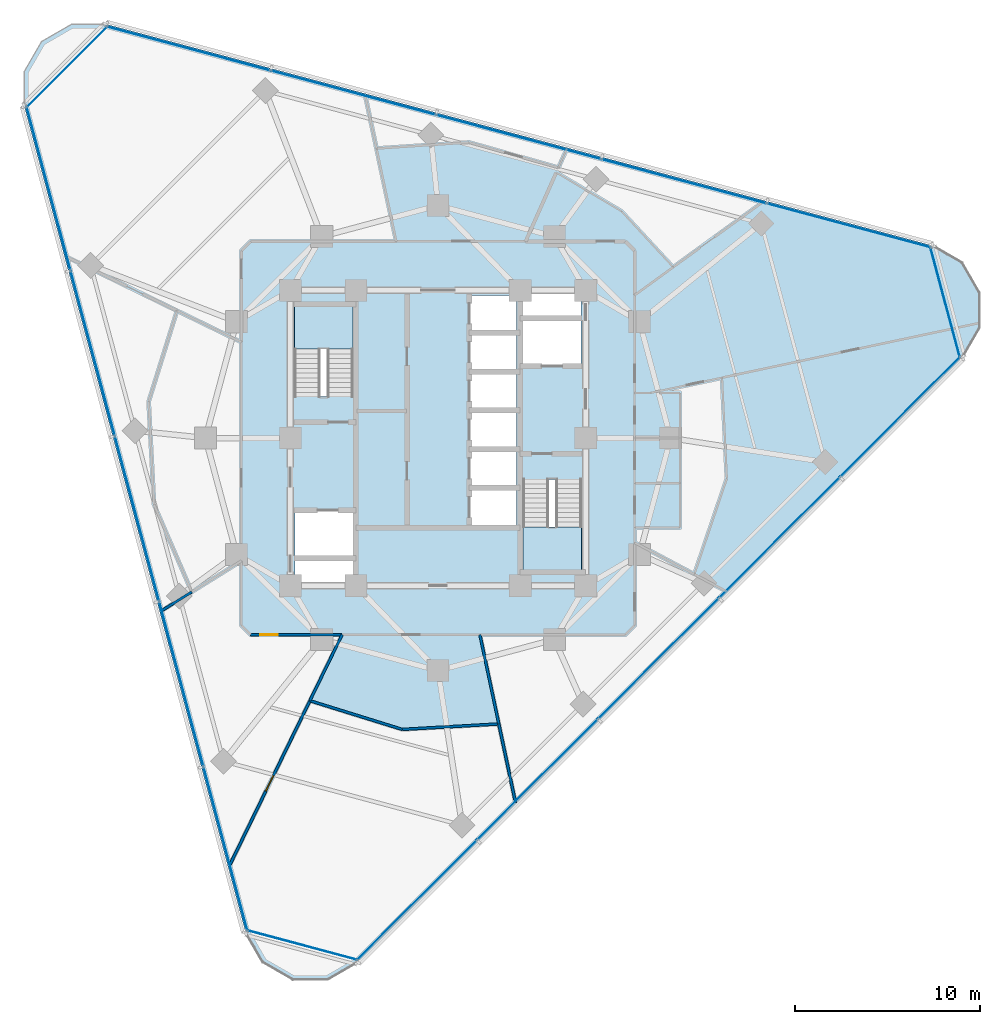
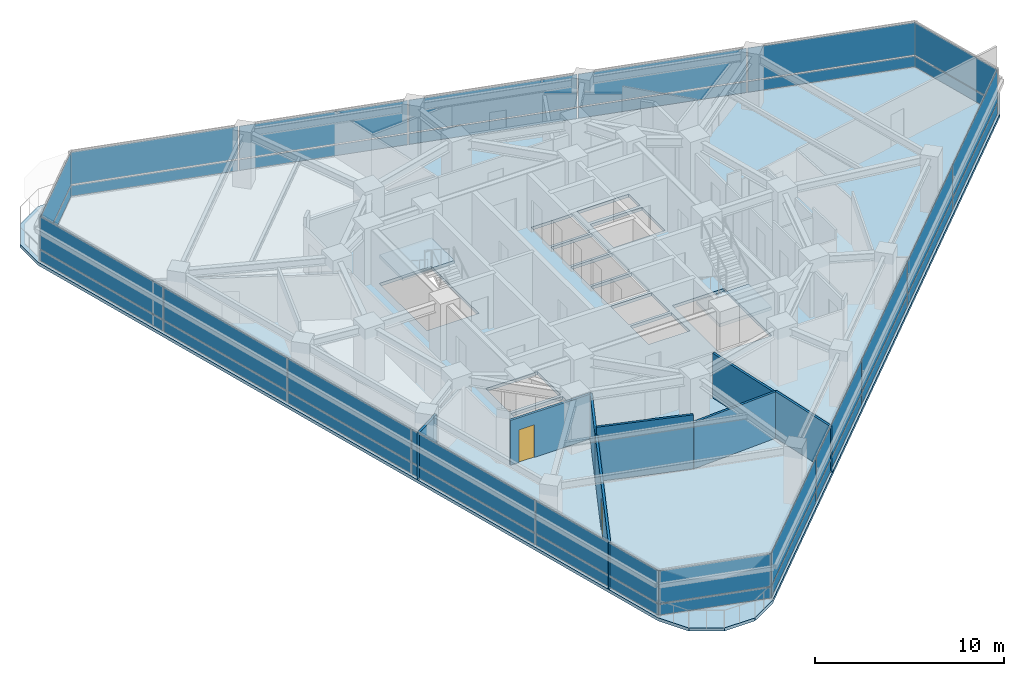
# One storey, part 6 of 14: 36 plates, 8 walls, 3 slabs, 2 doors, 2 openings, 8 elements without a shape of their own.
"""IFC4 building model written with IfcOpenShell, lengths in metres."""

import ifcopenshell
import ifcopenshell.guid

model = None  # the IFC model being written
_history = None  # IfcOwnerHistory: only IFC2X3 demands one
_inside = {}  # id of a spatial element -> (the spatial element, [elements in it])
_under = {}  # id of a project, library or spatial element -> (it, [spatial elements below it])
_declared = {}  # id of a project -> (the project, [libraries it declares])
_typed = {}  # id of a type object -> (the type object, [elements of that type])
_made_of = {}  # id of a material, layer set ... -> (it, [elements and type objects made of it])


def new_model(schema):
    """Start an empty IFC model of exactly this schema.

    Asked for "IFC4X3", IfcOpenShell would pick the latest addendum, in which some entities
    have other attributes; the version numbers below select the first issue.
    IFC2X3 requires an IfcOwnerHistory on every rooted entity: one is made here for all.
    """
    global model, _history
    if schema == "IFC4X3":
        model = ifcopenshell.file(schema_version=(4, 3, 0, 0))
    else:
        model = ifcopenshell.file(schema=schema)
    _inside.clear()
    _under.clear()
    _declared.clear()
    _typed.clear()
    _made_of.clear()
    _history = None
    if model.schema == "IFC2X3":
        org = make("IfcOrganization", Name="unknown")
        user = make(
            "IfcPersonAndOrganization",
            ThePerson=make("IfcPerson", FamilyName="unknown"),
            TheOrganization=org,
        )
        app = make(
            "IfcApplication",
            ApplicationDeveloper=org,
            Version="unknown",
            ApplicationFullName="unknown",
            ApplicationIdentifier="unknown",
        )
        _history = make(
            "IfcOwnerHistory",
            OwningUser=user,
            OwningApplication=app,
            ChangeAction="ADDED",
            CreationDate=0,
        )
    return model


def make(cls, **values):
    """One entity of the class cls with the attributes given. An attribute that is None is left unset."""
    return model.create_entity(
        cls, **{name: value for name, value in values.items() if value is not None}
    )


def rooted(cls, **values):
    """An entity with a GlobalId (a new one), such as an element, a storey or a relation."""
    return make(cls, GlobalId=ifcopenshell.guid.new(), OwnerHistory=_history, **values)


def si_unit(unit_type, name, prefix=None):
    """IfcSIUnit, for example si_unit("LENGTHUNIT", "METRE", prefix="MILLI")."""
    return make("IfcSIUnit", UnitType=unit_type, Prefix=prefix, Name=name)


def assignment(units):
    """IfcUnitAssignment: the units of a project."""
    return None if units is None else make("IfcUnitAssignment", Units=units)


def point(xyz):
    """IfcCartesianPoint."""
    return None if xyz is None else make("IfcCartesianPoint", Coordinates=xyz)


def direction(xyz):
    """IfcDirection."""
    return None if xyz is None else make("IfcDirection", DirectionRatios=xyz)


def frame(location, z_axis=None, x_axis=None):
    """IfcAxis2Placement3D, a coordinate frame: its origin and axes. An axis left out is left unset."""
    return make(
        "IfcAxis2Placement3D",
        Location=point(location),
        Axis=direction(z_axis),
        RefDirection=direction(x_axis),
    )


def frame_2d(location, x_axis=None):
    """IfcAxis2Placement2D, a coordinate frame in the plane: its origin and x axis."""
    return make(
        "IfcAxis2Placement2D", Location=point(location), RefDirection=direction(x_axis)
    )


def origin():
    """The frame at (0, 0, 0) with its axes left unset."""
    return frame((0.0, 0.0, 0.0))


def origin_2d():
    """The frame at (0, 0) in the plane with its x axis left unset."""
    return frame_2d((0.0, 0.0))


def place(relative_to, where):
    """IfcLocalPlacement: puts the frame where relative to a parent placement (None: the world)."""
    return make(
        "IfcLocalPlacement", PlacementRelTo=relative_to, RelativePlacement=where
    )


def context(
    kind, dimensions, precision=None, world=None, true_north=None, identifier=None
):
    """IfcGeometricRepresentationContext, for example the 3D "Model" context."""
    return make(
        "IfcGeometricRepresentationContext",
        ContextIdentifier=identifier,
        ContextType=kind,
        CoordinateSpaceDimension=dimensions,
        Precision=precision,
        WorldCoordinateSystem=world,
        TrueNorth=true_north,
    )


def subcontext(parent, identifier, kind, view, scale=None):
    """IfcGeometricRepresentationSubContext, for example "Body" below "Model"."""
    return make(
        "IfcGeometricRepresentationSubContext",
        ContextIdentifier=identifier,
        ContextType=kind,
        ParentContext=parent,
        TargetScale=scale,
        TargetView=view,
    )


def project(units=None, contexts=None):
    """IfcProject with its units and contexts."""
    return rooted(
        "IfcProject",
        Name="project",
        RepresentationContexts=contexts,
        UnitsInContext=assignment(units),
    )


def spatial(cls, under=None, at=None, **own):
    """A site, building, storey or space (cls), placed at a placement, below another one or the project."""
    s = rooted(cls, ObjectPlacement=at, **own)
    if under is not None:
        _under.setdefault(under.id(), (under, []))[1].append(s)
    return s


def polyline(points):
    """IfcPolyline through the points."""
    return make("IfcPolyline", Points=[point(p) for p in points])


def profile(cls, at=None, kind="AREA", **sizes):
    """A parametric profile (cls). Its sizes go by their IFC names, for example OverallWidth=200.0."""
    return make(cls, ProfileType=kind, Position=at, **sizes)


def rectangle(**sizes):
    """IfcRectangleProfileDef."""
    return profile("IfcRectangleProfileDef", **sizes)


def outline(outer, holes=None, kind="AREA"):
    """IfcArbitraryClosedProfileDef: a profile drawn as a closed curve; with holes, ...WithVoids."""
    if holes is None:
        return make("IfcArbitraryClosedProfileDef", ProfileType=kind, OuterCurve=outer)
    return make(
        "IfcArbitraryProfileDefWithVoids",
        ProfileType=kind,
        OuterCurve=outer,
        InnerCurves=holes,
    )


def extrude(swept, where, along, depth):
    """IfcExtrudedAreaSolid: the profile swept, set in the frame where, extruded along a direction by depth."""
    return make(
        "IfcExtrudedAreaSolid",
        SweptArea=swept,
        Position=where,
        ExtrudedDirection=direction(along),
        Depth=depth,
    )


def shape(context_of_items, identifier, shape_type, items):
    """IfcShapeRepresentation: the items that make up one representation, for example the "Body"."""
    return make(
        "IfcShapeRepresentation",
        ContextOfItems=context_of_items,
        RepresentationIdentifier=identifier,
        RepresentationType=shape_type,
        Items=items,
    )


def material(Name=None, Category=None):
    """IfcMaterial."""
    return make("IfcMaterial", Name=Name, Category=Category)


def layer(
    of_material, thickness, ventilated=None, Name=None, Category=None, Priority=None
):
    """IfcMaterialLayer: one layer of a wall or slab, of a material (None: an air gap)."""
    return make(
        "IfcMaterialLayer",
        Material=of_material,
        LayerThickness=thickness,
        IsVentilated=ventilated,
        Name=Name,
        Category=Category,
        Priority=Priority,
    )


def layer_set(layers, Name=None):
    """IfcMaterialLayerSet."""
    return make("IfcMaterialLayerSet", MaterialLayers=layers, LayerSetName=Name)


def made_of(thing, what):
    """Note that an element or type object is made of a material, layer set ...; save() writes the relation."""
    if what is not None:
        _made_of.setdefault(what.id(), (what, []))[1].append(thing)
    return thing


def type_object(cls, material=None, **own):
    """A type object (cls), such as IfcWallType, which elements share."""
    return made_of(rooted(cls, **own), material)


def element(
    cls,
    number,
    at=None,
    inside=None,
    cuts=None,
    type_object=None,
    material=None,
    context=None,
    identifier="Body",
    shape_type=None,
    held_by="IfcProductDefinitionShape",
    body=None,
    shapes=None,
    **own,
):
    """One element of the class cls, such as IfcWall. Its Tag is "e" and its number.

    at: its placement. inside: the storey or other place that contains it. cuts: it is an
    opening in that element (IfcRelVoidsElement). A single representation is given by context,
    identifier, shape_type and body (its items); several are given by shapes. held_by: the class
    of the entity that holds the representations. save() writes the other relations.
    """
    e = rooted(cls, Tag="e%d" % number, ObjectPlacement=at, **own)
    if body is not None:
        shapes = [shape(context, identifier, shape_type, body)]
    if shapes is not None:
        e.Representation = make(held_by, Representations=shapes)
    if inside is not None:
        _inside.setdefault(inside.id(), (inside, []))[1].append(e)
    if cuts is not None:
        rooted(
            "IfcRelVoidsElement", RelatingBuildingElement=cuts, RelatedOpeningElement=e
        )
    if type_object is not None:
        _typed.setdefault(type_object.id(), (type_object, []))[1].append(e)
    return made_of(e, material)


def fill(opening, filler):
    """IfcRelFillsElement: the door or window that sits in an opening."""
    return rooted(
        "IfcRelFillsElement",
        RelatingOpeningElement=opening,
        RelatedBuildingElement=filler,
    )


def aggregate(whole, parts):
    """IfcRelAggregates: a whole, such as a stair, and the parts it consists of."""
    return rooted("IfcRelAggregates", RelatingObject=whole, RelatedObjects=parts)


def save(model, path):
    """Write the relations noted so far, then the file.

    IfcRelAggregates (storeys below a building ...), IfcRelContainedInSpatialStructure (elements
    in a storey), IfcRelDefinesByType, IfcRelAssociatesMaterial and IfcRelDeclares: one each for
    every whole, place, type object, material and project.
    """
    for whole, parts in _under.values():
        aggregate(whole, parts)
    for where, things in _inside.values():
        rooted(
            "IfcRelContainedInSpatialStructure",
            RelatedElements=things,
            RelatingStructure=where,
        )
    for kind, things in _typed.values():
        rooted("IfcRelDefinesByType", RelatedObjects=things, RelatingType=kind)
    for what, things in _made_of.values():
        rooted("IfcRelAssociatesMaterial", RelatedObjects=things, RelatingMaterial=what)
    for by, libraries in _declared.values():
        rooted("IfcRelDeclares", RelatingContext=by, RelatedDefinitions=libraries)
    model.write(path)


model = new_model("IFC4")

# Units and contexts
model_context = context("Model", 3, precision=1e-05, world=origin(), true_north=direction((0.0, 1.0)))
body_context = subcontext(model_context, "Body", "Model", "MODEL_VIEW")
ifc_project = project(units=[si_unit("LENGTHUNIT", "METRE"), si_unit("AREAUNIT", "SQUARE_METRE"), si_unit("VOLUMEUNIT", "CUBIC_METRE"), si_unit("PLANEANGLEUNIT", "RADIAN"), si_unit("MASSUNIT", "GRAM", prefix="KILO")], contexts=[model_context])

# Site, building, storey
site_placement = place(None, origin())
site = spatial("IfcSite", under=ifc_project, at=site_placement, CompositionType="ELEMENT")
building_placement = place(site_placement, origin())
building = spatial("IfcBuilding", under=site, at=building_placement, Name="Terralouvre Media Tower", CompositionType="ELEMENT")
storey_placement = place(building_placement, frame((0.0, 0.0, 187.89990234375)))
storey = spatial("IfcBuildingStorey", under=building, at=storey_placement, Name="L48", CompositionType="ELEMENT", Elevation=187.89990234375)

# Slab
ifc_material_1 = material(Name="Concrete C40/50", Category="concrete")
ifc_layer_1 = layer(ifc_material_1, 0.199951171875, Name="Composite Tower Floor Slab S-TYP200")
ifc_layer_set_1 = layer_set([ifc_layer_1], Name="Concrete C40/50")
slab_type_1 = type_object("IfcSlabType", Name="Composite Tower Floor Slab S-TYP200", PredefinedType="FLOOR", material=ifc_layer_set_1)
slab_1_placement = place(storey_placement, frame((0.0, 0.0, -0.199951171875), z_axis=(0.0, 0.0, 1.0), x_axis=(0.707106781187, 0.707106781187, 0.0)))
element("IfcSlab", 1, at=slab_1_placement, inside=storey, type_object=slab_type_1, Name="L48 Structural Floor Slab", PredefinedType="FLOOR", context=body_context, shape_type="SweptSolid", body=[
    extrude(outline(polyline([(-26.31494140625, -11.572998046875), (-26.800048828125, -13.383056640625), (-26.31494140625, -15.19287109375), (-24.989990234375, -16.51806640625), (-23.179931640625, -17.0029296875), (23.179931640625, -17.0029296875), (24.989990234375, -16.51806640625), (26.31494140625, -15.19287109375), (26.800048828125, -13.383056640625), (26.31494140625, -11.572998046875), (3.135009765625, 28.575927734375), (1.81005859375, 29.90087890625), (0.0, 30.385986328125), (-1.81005859375, 29.90087890625), (-3.135009765625, 28.575927734375), (-26.31494140625, -11.572998046875)]), holes=[polyline([(-7.919677734375, -1.414306640625), (-8.76806640625, -2.2626953125), (-10.99560546875, -0.035400390625), (-10.14697265625, 0.813232421875), (-7.919677734375, -1.414306640625)]), polyline([(-7.778076171875, -1.272705078125), (-10.005615234375, 0.95458984375), (-8.273193359375, 2.68701171875), (-6.045654296875, 0.459716796875), (-7.778076171875, -1.272705078125)]), polyline([(4.122314453125, -1.887939453125), (2.354736328125, -0.1201171875), (3.7265625, 1.25146484375), (5.494140625, -0.51611328125), (4.122314453125, -1.887939453125)]), polyline([(6.979248046875, 0.96875), (5.607421875, -0.403076171875), (3.839599609375, 1.36474609375), (5.21142578125, 2.736572265625), (6.979248046875, 0.96875)]), polyline([(-1.665283203125, 4.840087890625), (-3.913818359375, 7.0888671875), (-0.36767578125, 10.634765625), (1.880859375, 8.38623046875), (-1.665283203125, 4.840087890625)]), polyline([(7.09228515625, 1.081787109375), (5.324462890625, 2.849609375), (6.6962890625, 4.221435546875), (8.464111328125, 2.45361328125), (7.09228515625, 1.081787109375)]), polyline([(-1.880859375, -8.38623046875), (1.665283203125, -4.840087890625), (3.913818359375, -7.0888671875), (0.36767578125, -10.634765625), (-1.880859375, -8.38623046875)]), polyline([(-0.332275390625, -6.3427734375), (-2.10009765625, -4.574951171875), (-0.728271484375, -3.203125), (1.03955078125, -4.970947265625), (-0.332275390625, -6.3427734375)]), polyline([(1.152587890625, -4.85791015625), (-0.615234375, -3.090087890625), (0.756591796875, -1.71826171875), (2.5244140625, -3.486083984375), (1.152587890625, -4.85791015625)]), polyline([(4.00927734375, -2.001220703125), (2.637451171875, -3.372802734375), (0.86962890625, -1.605224609375), (2.241455078125, -0.2333984375), (4.00927734375, -2.001220703125)]), polyline([(8.273193359375, -2.68701171875), (6.045654296875, -0.459716796875), (7.778076171875, 1.272705078125), (10.005615234375, -0.95458984375), (8.273193359375, -2.68701171875)]), polyline([(10.14697265625, -0.813232421875), (7.919677734375, 1.414306640625), (8.76806640625, 2.2626953125), (10.99560546875, 0.035400390625), (10.14697265625, -0.813232421875)])]), origin(), (0.0, 0.0, 1.0), 0.199951171875),
])

# Stair, slab
ifc_material_2 = material(Name="Concrete C45/55", Category="concrete")
stair_type_1 = type_object("IfcStairType", Name="Dogleg Stair Assembly ST-01", PredefinedType="HALF_TURN_STAIR", material=ifc_material_2)
stair_1_placement = place(storey_placement, origin())
stair_1 = element("IfcStair", 2, at=stair_1_placement, inside=storey, type_object=stair_type_1, Name="L48 Core Pressurised Exit Stair ST-01", PredefinedType="HALF_TURN_STAIR")
ifc_material_3 = material(Name="Concrete C45/55", Category="concrete")
ifc_layer_2 = layer(ifc_material_3, 0.199951171875, Name="Reinforced Concrete Stair Half-Landing SL-LD1")
ifc_layer_set_2 = layer_set([ifc_layer_2], Name="Concrete C45/55")
slab_type_2 = type_object("IfcSlabType", Name="Reinforced Concrete Stair Half-Landing SL-LD1", PredefinedType="LANDING", material=ifc_layer_set_2)
slab_2_placement = place(storey_placement, frame((0.0, 0.0, 1.650146484375)))
slab_2 = element("IfcSlab", 3, at=slab_2_placement, type_object=slab_type_2, Name="ST-01 landing 1", PredefinedType="LANDING", context=body_context, shape_type="SweptSolid", body=[
    extrude(outline(polyline([(-4.60009765625, 4.820068359375), (-4.60009765625, 7.260009765625), (-7.780029296875, 7.260009765625), (-7.780029296875, 4.820068359375), (-4.60009765625, 4.820068359375)])), origin(), (0.0, 0.0, 1.0), 0.199951171875),
])
aggregate(stair_1, [slab_2])

ifc_material_4 = material(Name="Concrete C45/55", Category="concrete")
stair_type_2 = type_object("IfcStairType", Name="Dogleg Stair Assembly ST-02", PredefinedType="HALF_TURN_STAIR", material=ifc_material_4)
stair_2_placement = place(storey_placement, origin())
stair_2 = element("IfcStair", 4, at=stair_2_placement, inside=storey, type_object=stair_type_2, Name="L48 Core Pressurised Exit Stair ST-02", PredefinedType="HALF_TURN_STAIR")
slab_3_placement = place(storey_placement, frame((0.0, 0.0, 1.650146484375)))
slab_3 = element("IfcSlab", 5, at=slab_3_placement, type_object=slab_type_2, Name="ST-02 landing 1", PredefinedType="LANDING", context=body_context, shape_type="SweptSolid", body=[
    extrude(outline(polyline([(4.60009765625, -4.820068359375), (4.60009765625, -7.260009765625), (7.780029296875, -7.260009765625), (7.780029296875, -4.820068359375), (4.60009765625, -4.820068359375)])), origin(), (0.0, 0.0, 1.0), 0.199951171875),
])
aggregate(stair_2, [slab_3])

# Curtain wall, plates
ifc_material_5 = material(Name="Low-iron laminated double glazing with solar-control coating", Category="glass")
ifc_layer_3 = layer(ifc_material_5, 0.1650390625, Name="Rounded Wind-Corner Curved Glazing CW-04")
ifc_layer_set_3 = layer_set([ifc_layer_3], Name="Low-iron laminated double glazing with solar-control coating")
curtain_wall_type_1 = type_object("IfcCurtainWallType", Name="Rounded Wind-Corner Curved Glazing CW-04", PredefinedType="NOTDEFINED", material=ifc_layer_set_3)
curtain_wall_1_placement = place(storey_placement, origin())
curtain_wall_1 = element("IfcCurtainWall", 6, at=curtain_wall_1_placement, inside=storey, type_object=curtain_wall_type_1, Name="L48 Rounded Wind-Corner Curtain Wall C0", PredefinedType="NOTDEFINED")
ifc_material_6 = material(Name="Low-iron laminated double glazing with solar-control coating", Category="glass")
ifc_layer_4 = layer(ifc_material_6, 0.0400390625, Name="Rounded Corner Laminated Vision Panel CWP-03")
ifc_layer_set_4 = layer_set([ifc_layer_4], Name="Low-iron laminated double glazing with solar-control coating")
plate_type_1 = type_object("IfcPlateType", Name="Rounded Corner Laminated Vision Panel CWP-03", PredefinedType="CURTAIN_PANEL", material=ifc_layer_set_4)
plate_1_placement = place(storey_placement, frame((-7.35986328125, -27.467041015625, 0.0751953125), z_axis=(0.0, 0.0, 1.0), x_axis=(0.965925911218, -0.258818728144, 0.0)))
plate_1 = element("IfcPlate", 7, at=plate_1_placement, type_object=plate_type_1, Name="CW-04 panel 1.1", PredefinedType="CURTAIN_PANEL", context=body_context, shape_type="SweptSolid", body=[
    extrude(rectangle(XDim=6.1201171875, YDim=0.035888671875, at=origin_2d()), origin(), (0.0, 0.0, 1.0), 0.6875),
])
plate_2_placement = place(storey_placement, frame((-7.35986328125, -27.467041015625, 0.837646484375), z_axis=(0.0, 0.0, 1.0), x_axis=(0.965925911218, -0.258818728144, 0.0)))
plate_2 = element("IfcPlate", 8, at=plate_2_placement, type_object=plate_type_1, Name="CW-04 panel 1.2", PredefinedType="CURTAIN_PANEL", context=body_context, shape_type="SweptSolid", body=[
    extrude(rectangle(XDim=6.1201171875, YDim=0.035888671875, at=origin_2d()), origin(), (0.0, 0.0, 1.0), 2.08740234375),
])
aggregate(curtain_wall_1, [plate_1, plate_2])

curtain_wall_2_placement = place(storey_placement, origin())
curtain_wall_2 = element("IfcCurtainWall", 9, at=curtain_wall_2_placement, inside=storey, type_object=curtain_wall_type_1, Name="L48 Rounded Wind-Corner Curtain Wall C1", PredefinedType="NOTDEFINED")
plate_3_placement = place(storey_placement, frame((27.467041015625, 7.35986328125, 0.0751953125), z_axis=(0.0, 0.0, 1.0), x_axis=(-0.258818728144, 0.965925911218, 0.0)))
plate_3 = element("IfcPlate", 10, at=plate_3_placement, type_object=plate_type_1, Name="CW-04 panel 1.1", PredefinedType="CURTAIN_PANEL", context=body_context, shape_type="SweptSolid", body=[
    extrude(rectangle(XDim=6.1201171875, YDim=0.035888671875, at=origin_2d()), origin(), (0.0, 0.0, 1.0), 0.6875),
])
plate_4_placement = place(storey_placement, frame((27.467041015625, 7.35986328125, 0.837646484375), z_axis=(0.0, 0.0, 1.0), x_axis=(-0.258818728144, 0.965925911218, 0.0)))
plate_4 = element("IfcPlate", 11, at=plate_4_placement, type_object=plate_type_1, Name="CW-04 panel 1.2", PredefinedType="CURTAIN_PANEL", context=body_context, shape_type="SweptSolid", body=[
    extrude(rectangle(XDim=6.1201171875, YDim=0.035888671875, at=origin_2d()), origin(), (0.0, 0.0, 1.0), 2.08740234375),
])
aggregate(curtain_wall_2, [plate_3, plate_4])

curtain_wall_3_placement = place(storey_placement, origin())
curtain_wall_3 = element("IfcCurtainWall", 12, at=curtain_wall_3_placement, inside=storey, type_object=curtain_wall_type_1, Name="L48 Rounded Wind-Corner Curtain Wall C2", PredefinedType="NOTDEFINED")
plate_5_placement = place(storey_placement, frame((-20.107177734375, 20.107177734375, 0.0751953125), z_axis=(0.0, 0.0, 1.0), x_axis=(-0.707106781187, -0.707106781187, 0.0)))
plate_5 = element("IfcPlate", 13, at=plate_5_placement, type_object=plate_type_1, Name="CW-04 panel 1.1", PredefinedType="CURTAIN_PANEL", context=body_context, shape_type="SweptSolid", body=[
    extrude(rectangle(XDim=6.1201171875, YDim=0.035888671875, at=origin_2d()), origin(), (0.0, 0.0, 1.0), 0.6875),
])
plate_6_placement = place(storey_placement, frame((-20.107177734375, 20.107177734375, 0.837646484375), z_axis=(0.0, 0.0, 1.0), x_axis=(-0.707106781187, -0.707106781187, 0.0)))
plate_6 = element("IfcPlate", 14, at=plate_6_placement, type_object=plate_type_1, Name="CW-04 panel 1.2", PredefinedType="CURTAIN_PANEL", context=body_context, shape_type="SweptSolid", body=[
    extrude(rectangle(XDim=6.1201171875, YDim=0.035888671875, at=origin_2d()), origin(), (0.0, 0.0, 1.0), 2.08740234375),
])
aggregate(curtain_wall_3, [plate_5, plate_6])

ifc_material_7 = material(Name="Low-iron laminated double glazing with solar-control coating", Category="glass")
ifc_layer_5 = layer(ifc_material_7, 0.1650390625, Name="Production Studio Tower Curtain Wall CW-03")
ifc_layer_set_5 = layer_set([ifc_layer_5], Name="Low-iron laminated double glazing with solar-control coating")
curtain_wall_type_2 = type_object("IfcCurtainWallType", Name="Production Studio Tower Curtain Wall CW-03", PredefinedType="NOTDEFINED", material=ifc_layer_set_5)
curtain_wall_4_placement = place(storey_placement, origin())
curtain_wall_4 = element("IfcCurtainWall", 15, at=curtain_wall_4_placement, inside=storey, type_object=curtain_wall_type_2, Name="L48 Facade Curtain Wall F0", PredefinedType="NOTDEFINED")
ifc_material_8 = material(Name="Low-iron laminated double glazing with solar-control coating", Category="glass")
ifc_layer_6 = layer(ifc_material_8, 0.035888671875, Name="Vision Double-Glazed Unit CWP-01")
ifc_layer_set_6 = layer_set([ifc_layer_6], Name="Low-iron laminated double glazing with solar-control coating")
plate_type_2 = type_object("IfcPlateType", Name="Vision Double-Glazed Unit CWP-01", PredefinedType="CURTAIN_PANEL", material=ifc_layer_set_6)
plate_7_placement = place(storey_placement, frame((-1.161376953125, -25.037353515625, 0.0751953125), z_axis=(0.0, 0.0, 1.0), x_axis=(0.707106781187, 0.707106781187, 0.0)))
plate_7 = element("IfcPlate", 16, at=plate_7_placement, type_object=plate_type_2, Name="CW-03 panel 1.1", PredefinedType="CURTAIN_PANEL", context=body_context, shape_type="SweptSolid", body=[
    extrude(rectangle(XDim=9.159423828125, YDim=0.035888671875, at=origin_2d()), origin(), (0.0, 0.0, 1.0), 0.6875),
])
plate_8_placement = place(storey_placement, frame((-1.161376953125, -25.037353515625, 0.837646484375), z_axis=(0.0, 0.0, 1.0), x_axis=(0.707106781187, 0.707106781187, 0.0)))
plate_8 = element("IfcPlate", 17, at=plate_8_placement, type_object=plate_type_2, Name="CW-03 panel 1.2", PredefinedType="CURTAIN_PANEL", context=body_context, shape_type="SweptSolid", body=[
    extrude(rectangle(XDim=9.159423828125, YDim=0.035888671875, at=origin_2d()), origin(), (0.0, 0.0, 1.0), 2.08740234375),
])
plate_9_placement = place(storey_placement, frame((5.3818359375, -18.494384765625, 0.0751953125), z_axis=(0.0, 0.0, 1.0), x_axis=(0.707106781187, 0.707106781187, 0.0)))
plate_9 = element("IfcPlate", 18, at=plate_9_placement, type_object=plate_type_2, Name="CW-03 panel 2.1", PredefinedType="CURTAIN_PANEL", context=body_context, shape_type="SweptSolid", body=[
    extrude(rectangle(XDim=9.197021484375, YDim=0.035888671875, at=origin_2d()), origin(), (0.0, 0.0, 1.0), 0.6875),
])
plate_10_placement = place(storey_placement, frame((5.3818359375, -18.494384765625, 0.837646484375), z_axis=(0.0, 0.0, 1.0), x_axis=(0.707106781187, 0.707106781187, 0.0)))
plate_10 = element("IfcPlate", 19, at=plate_10_placement, type_object=plate_type_2, Name="CW-03 panel 2.2", PredefinedType="CURTAIN_PANEL", context=body_context, shape_type="SweptSolid", body=[
    extrude(rectangle(XDim=9.197021484375, YDim=0.035888671875, at=origin_2d()), origin(), (0.0, 0.0, 1.0), 2.08740234375),
])
plate_11_placement = place(storey_placement, frame((11.93798828125, -11.93798828125, 0.0751953125), z_axis=(0.0, 0.0, 1.0), x_axis=(0.707106781187, 0.707106781187, 0.0)))
plate_11 = element("IfcPlate", 20, at=plate_11_placement, type_object=plate_type_2, Name="CW-03 panel 3.1", PredefinedType="CURTAIN_PANEL", context=body_context, shape_type="SweptSolid", body=[
    extrude(rectangle(XDim=9.197021484375, YDim=0.035888671875, at=origin_2d()), origin(), (0.0, 0.0, 1.0), 0.6875),
])
plate_12_placement = place(storey_placement, frame((11.93798828125, -11.93798828125, 0.837646484375), z_axis=(0.0, 0.0, 1.0), x_axis=(0.707106781187, 0.707106781187, 0.0)))
plate_12 = element("IfcPlate", 21, at=plate_12_placement, type_object=plate_type_2, Name="CW-03 panel 3.2", PredefinedType="CURTAIN_PANEL", context=body_context, shape_type="SweptSolid", body=[
    extrude(rectangle(XDim=9.197021484375, YDim=0.035888671875, at=origin_2d()), origin(), (0.0, 0.0, 1.0), 2.08740234375),
])
plate_13_placement = place(storey_placement, frame((18.494384765625, -5.3818359375, 0.0751953125), z_axis=(0.0, 0.0, 1.0), x_axis=(0.707106781187, 0.707106781187, 0.0)))
plate_13 = element("IfcPlate", 22, at=plate_13_placement, type_object=plate_type_2, Name="CW-03 panel 4.1", PredefinedType="CURTAIN_PANEL", context=body_context, shape_type="SweptSolid", body=[
    extrude(rectangle(XDim=9.197021484375, YDim=0.035888671875, at=origin_2d()), origin(), (0.0, 0.0, 1.0), 0.6875),
])
plate_14_placement = place(storey_placement, frame((18.494384765625, -5.3818359375, 0.837646484375), z_axis=(0.0, 0.0, 1.0), x_axis=(0.707106781187, 0.707106781187, 0.0)))
plate_14 = element("IfcPlate", 23, at=plate_14_placement, type_object=plate_type_2, Name="CW-03 panel 4.2", PredefinedType="CURTAIN_PANEL", context=body_context, shape_type="SweptSolid", body=[
    extrude(rectangle(XDim=9.197021484375, YDim=0.035888671875, at=origin_2d()), origin(), (0.0, 0.0, 1.0), 2.08740234375),
])
plate_15_placement = place(storey_placement, frame((25.037353515625, 1.161376953125, 0.0751953125), z_axis=(0.0, 0.0, 1.0), x_axis=(0.707106781187, 0.707106781187, 0.0)))
plate_15 = element("IfcPlate", 24, at=plate_15_placement, type_object=plate_type_2, Name="CW-03 panel 5.1", PredefinedType="CURTAIN_PANEL", context=body_context, shape_type="SweptSolid", body=[
    extrude(rectangle(XDim=9.159423828125, YDim=0.035888671875, at=origin_2d()), origin(), (0.0, 0.0, 1.0), 0.6875),
])
plate_16_placement = place(storey_placement, frame((25.037353515625, 1.161376953125, 0.837646484375), z_axis=(0.0, 0.0, 1.0), x_axis=(0.707106781187, 0.707106781187, 0.0)))
plate_16 = element("IfcPlate", 25, at=plate_16_placement, type_object=plate_type_2, Name="CW-03 panel 5.2", PredefinedType="CURTAIN_PANEL", context=body_context, shape_type="SweptSolid", body=[
    extrude(rectangle(XDim=9.159423828125, YDim=0.035888671875, at=origin_2d()), origin(), (0.0, 0.0, 1.0), 2.08740234375),
])
aggregate(curtain_wall_4, [plate_7, plate_8, plate_9, plate_10, plate_11, plate_12, plate_13, plate_14, plate_15, plate_16])

curtain_wall_5_placement = place(storey_placement, origin())
curtain_wall_5 = element("IfcCurtainWall", 26, at=curtain_wall_5_placement, inside=storey, type_object=curtain_wall_type_2, Name="L48 Facade Curtain Wall F1", PredefinedType="NOTDEFINED")
plate_17_placement = place(storey_placement, frame((22.263671875, 11.512939453125, 0.0751953125), z_axis=(0.0, 0.0, 1.0), x_axis=(-0.96592582942, 0.25881903342, 0.0)))
plate_17 = element("IfcPlate", 27, at=plate_17_placement, type_object=plate_type_2, Name="CW-03 panel 1.1", PredefinedType="CURTAIN_PANEL", context=body_context, shape_type="SweptSolid", body=[
    extrude(rectangle(XDim=9.159423828125, YDim=0.035888671875, at=origin_2d()), origin(), (0.0, 0.0, 1.0), 0.6875),
])
plate_18_placement = place(storey_placement, frame((22.263671875, 11.512939453125, 0.837646484375), z_axis=(0.0, 0.0, 1.0), x_axis=(-0.96592582942, 0.25881903342, 0.0)))
plate_18 = element("IfcPlate", 28, at=plate_18_placement, type_object=plate_type_2, Name="CW-03 panel 1.2", PredefinedType="CURTAIN_PANEL", context=body_context, shape_type="SweptSolid", body=[
    extrude(rectangle(XDim=9.159423828125, YDim=0.035888671875, at=origin_2d()), origin(), (0.0, 0.0, 1.0), 2.08740234375),
])
plate_19_placement = place(storey_placement, frame((13.32568359375, 13.907958984375, 0.0751953125), z_axis=(0.0, 0.0, 1.0), x_axis=(-0.96592582942, 0.25881903342, 0.0)))
plate_19 = element("IfcPlate", 29, at=plate_19_placement, type_object=plate_type_2, Name="CW-03 panel 2.1", PredefinedType="CURTAIN_PANEL", context=body_context, shape_type="SweptSolid", body=[
    extrude(rectangle(XDim=9.197021484375, YDim=0.035888671875, at=origin_2d()), origin(), (0.0, 0.0, 1.0), 0.6875),
])
plate_20_placement = place(storey_placement, frame((13.32568359375, 13.907958984375, 0.837646484375), z_axis=(0.0, 0.0, 1.0), x_axis=(-0.96592582942, 0.25881903342, 0.0)))
plate_20 = element("IfcPlate", 30, at=plate_20_placement, type_object=plate_type_2, Name="CW-03 panel 2.2", PredefinedType="CURTAIN_PANEL", context=body_context, shape_type="SweptSolid", body=[
    extrude(rectangle(XDim=9.197021484375, YDim=0.035888671875, at=origin_2d()), origin(), (0.0, 0.0, 1.0), 2.08740234375),
])
plate_21_placement = place(storey_placement, frame((4.36962890625, 16.3076171875, 0.0751953125), z_axis=(0.0, 0.0, 1.0), x_axis=(-0.96592582942, 0.25881903342, 0.0)))
plate_21 = element("IfcPlate", 31, at=plate_21_placement, type_object=plate_type_2, Name="CW-03 panel 3.1", PredefinedType="CURTAIN_PANEL", context=body_context, shape_type="SweptSolid", body=[
    extrude(rectangle(XDim=9.197021484375, YDim=0.035888671875, at=origin_2d()), origin(), (0.0, 0.0, 1.0), 0.6875),
])
plate_22_placement = place(storey_placement, frame((4.36962890625, 16.3076171875, 0.837646484375), z_axis=(0.0, 0.0, 1.0), x_axis=(-0.96592582942, 0.25881903342, 0.0)))
plate_22 = element("IfcPlate", 32, at=plate_22_placement, type_object=plate_type_2, Name="CW-03 panel 3.2", PredefinedType="CURTAIN_PANEL", context=body_context, shape_type="SweptSolid", body=[
    extrude(rectangle(XDim=9.197021484375, YDim=0.035888671875, at=origin_2d()), origin(), (0.0, 0.0, 1.0), 2.08740234375),
])
plate_23_placement = place(storey_placement, frame((-4.58642578125, 18.70751953125, 0.0751953125), z_axis=(0.0, 0.0, 1.0), x_axis=(-0.96592582942, 0.25881903342, 0.0)))
plate_23 = element("IfcPlate", 33, at=plate_23_placement, type_object=plate_type_2, Name="CW-03 panel 4.1", PredefinedType="CURTAIN_PANEL", context=body_context, shape_type="SweptSolid", body=[
    extrude(rectangle(XDim=9.197021484375, YDim=0.035888671875, at=origin_2d()), origin(), (0.0, 0.0, 1.0), 0.6875),
])
plate_24_placement = place(storey_placement, frame((-4.58642578125, 18.70751953125, 0.837646484375), z_axis=(0.0, 0.0, 1.0), x_axis=(-0.96592582942, 0.25881903342, 0.0)))
plate_24 = element("IfcPlate", 34, at=plate_24_placement, type_object=plate_type_2, Name="CW-03 panel 4.2", PredefinedType="CURTAIN_PANEL", context=body_context, shape_type="SweptSolid", body=[
    extrude(rectangle(XDim=9.197021484375, YDim=0.035888671875, at=origin_2d()), origin(), (0.0, 0.0, 1.0), 2.08740234375),
])
plate_25_placement = place(storey_placement, frame((-13.5244140625, 21.102294921875, 0.0751953125), z_axis=(0.0, 0.0, 1.0), x_axis=(-0.96592582942, 0.25881903342, 0.0)))
plate_25 = element("IfcPlate", 35, at=plate_25_placement, type_object=plate_type_2, Name="CW-03 panel 5.1", PredefinedType="CURTAIN_PANEL", context=body_context, shape_type="SweptSolid", body=[
    extrude(rectangle(XDim=9.159423828125, YDim=0.035888671875, at=origin_2d()), origin(), (0.0, 0.0, 1.0), 0.6875),
])
plate_26_placement = place(storey_placement, frame((-13.5244140625, 21.102294921875, 0.837646484375), z_axis=(0.0, 0.0, 1.0), x_axis=(-0.96592582942, 0.25881903342, 0.0)))
plate_26 = element("IfcPlate", 36, at=plate_26_placement, type_object=plate_type_2, Name="CW-03 panel 5.2", PredefinedType="CURTAIN_PANEL", context=body_context, shape_type="SweptSolid", body=[
    extrude(rectangle(XDim=9.159423828125, YDim=0.035888671875, at=origin_2d()), origin(), (0.0, 0.0, 1.0), 2.08740234375),
])
aggregate(curtain_wall_5, [plate_17, plate_18, plate_19, plate_20, plate_21, plate_22, plate_23, plate_24, plate_25, plate_26])

curtain_wall_6_placement = place(storey_placement, origin())
curtain_wall_6 = element("IfcCurtainWall", 37, at=curtain_wall_6_placement, inside=storey, type_object=curtain_wall_type_2, Name="L48 Facade Curtain Wall F2", PredefinedType="NOTDEFINED")
plate_27_placement = place(storey_placement, frame((-21.102294921875, 13.5244140625, 0.0751953125), z_axis=(0.0, 0.0, 1.0), x_axis=(0.25881903342, -0.96592582942, 0.0)))
plate_27 = element("IfcPlate", 38, at=plate_27_placement, type_object=plate_type_2, Name="CW-03 panel 1.1", PredefinedType="CURTAIN_PANEL", context=body_context, shape_type="SweptSolid", body=[
    extrude(rectangle(XDim=9.159423828125, YDim=0.035888671875, at=origin_2d()), origin(), (0.0, 0.0, 1.0), 0.6875),
])
plate_28_placement = place(storey_placement, frame((-21.102294921875, 13.5244140625, 0.837646484375), z_axis=(0.0, 0.0, 1.0), x_axis=(0.25881903342, -0.96592582942, 0.0)))
plate_28 = element("IfcPlate", 39, at=plate_28_placement, type_object=plate_type_2, Name="CW-03 panel 1.2", PredefinedType="CURTAIN_PANEL", context=body_context, shape_type="SweptSolid", body=[
    extrude(rectangle(XDim=9.159423828125, YDim=0.035888671875, at=origin_2d()), origin(), (0.0, 0.0, 1.0), 2.08740234375),
])
plate_29_placement = place(storey_placement, frame((-18.70751953125, 4.58642578125, 0.0751953125), z_axis=(0.0, 0.0, 1.0), x_axis=(0.25881903342, -0.96592582942, 0.0)))
plate_29 = element("IfcPlate", 40, at=plate_29_placement, type_object=plate_type_2, Name="CW-03 panel 2.1", PredefinedType="CURTAIN_PANEL", context=body_context, shape_type="SweptSolid", body=[
    extrude(rectangle(XDim=9.197021484375, YDim=0.035888671875, at=origin_2d()), origin(), (0.0, 0.0, 1.0), 0.6875),
])
plate_30_placement = place(storey_placement, frame((-18.70751953125, 4.58642578125, 0.837646484375), z_axis=(0.0, 0.0, 1.0), x_axis=(0.25881903342, -0.96592582942, 0.0)))
plate_30 = element("IfcPlate", 41, at=plate_30_placement, type_object=plate_type_2, Name="CW-03 panel 2.2", PredefinedType="CURTAIN_PANEL", context=body_context, shape_type="SweptSolid", body=[
    extrude(rectangle(XDim=9.197021484375, YDim=0.035888671875, at=origin_2d()), origin(), (0.0, 0.0, 1.0), 2.08740234375),
])
plate_31_placement = place(storey_placement, frame((-16.3076171875, -4.36962890625, 0.0751953125), z_axis=(0.0, 0.0, 1.0), x_axis=(0.25881903342, -0.96592582942, 0.0)))
plate_31 = element("IfcPlate", 42, at=plate_31_placement, type_object=plate_type_2, Name="CW-03 panel 3.1", PredefinedType="CURTAIN_PANEL", context=body_context, shape_type="SweptSolid", body=[
    extrude(rectangle(XDim=9.197021484375, YDim=0.035888671875, at=origin_2d()), origin(), (0.0, 0.0, 1.0), 0.6875),
])
plate_32_placement = place(storey_placement, frame((-16.3076171875, -4.36962890625, 0.837646484375), z_axis=(0.0, 0.0, 1.0), x_axis=(0.25881903342, -0.96592582942, 0.0)))
plate_32 = element("IfcPlate", 43, at=plate_32_placement, type_object=plate_type_2, Name="CW-03 panel 3.2", PredefinedType="CURTAIN_PANEL", context=body_context, shape_type="SweptSolid", body=[
    extrude(rectangle(XDim=9.197021484375, YDim=0.035888671875, at=origin_2d()), origin(), (0.0, 0.0, 1.0), 2.08740234375),
])
plate_33_placement = place(storey_placement, frame((-13.907958984375, -13.32568359375, 0.0751953125), z_axis=(0.0, 0.0, 1.0), x_axis=(0.25881903342, -0.96592582942, 0.0)))
plate_33 = element("IfcPlate", 44, at=plate_33_placement, type_object=plate_type_2, Name="CW-03 panel 4.1", PredefinedType="CURTAIN_PANEL", context=body_context, shape_type="SweptSolid", body=[
    extrude(rectangle(XDim=9.197021484375, YDim=0.035888671875, at=origin_2d()), origin(), (0.0, 0.0, 1.0), 0.6875),
])
plate_34_placement = place(storey_placement, frame((-13.907958984375, -13.32568359375, 0.837646484375), z_axis=(0.0, 0.0, 1.0), x_axis=(0.25881903342, -0.96592582942, 0.0)))
plate_34 = element("IfcPlate", 45, at=plate_34_placement, type_object=plate_type_2, Name="CW-03 panel 4.2", PredefinedType="CURTAIN_PANEL", context=body_context, shape_type="SweptSolid", body=[
    extrude(rectangle(XDim=9.197021484375, YDim=0.035888671875, at=origin_2d()), origin(), (0.0, 0.0, 1.0), 2.08740234375),
])
plate_35_placement = place(storey_placement, frame((-11.512939453125, -22.263671875, 0.0751953125), z_axis=(0.0, 0.0, 1.0), x_axis=(0.25881903342, -0.96592582942, 0.0)))
plate_35 = element("IfcPlate", 46, at=plate_35_placement, type_object=plate_type_2, Name="CW-03 panel 5.1", PredefinedType="CURTAIN_PANEL", context=body_context, shape_type="SweptSolid", body=[
    extrude(rectangle(XDim=9.159423828125, YDim=0.035888671875, at=origin_2d()), origin(), (0.0, 0.0, 1.0), 0.6875),
])
plate_36_placement = place(storey_placement, frame((-11.512939453125, -22.263671875, 0.837646484375), z_axis=(0.0, 0.0, 1.0), x_axis=(0.25881903342, -0.96592582942, 0.0)))
plate_36 = element("IfcPlate", 47, at=plate_36_placement, type_object=plate_type_2, Name="CW-03 panel 5.2", PredefinedType="CURTAIN_PANEL", context=body_context, shape_type="SweptSolid", body=[
    extrude(rectangle(XDim=9.159423828125, YDim=0.035888671875, at=origin_2d()), origin(), (0.0, 0.0, 1.0), 2.08740234375),
])
aggregate(curtain_wall_6, [plate_27, plate_28, plate_29, plate_30, plate_31, plate_32, plate_33, plate_34, plate_35, plate_36])

# Wall, opening, door
ifc_material_9 = material(Name="Fire-rated gypsum board drywall partition")
ifc_layer_7 = layer(ifc_material_9, 0.135009765625, Name="Newsroom Acoustic Partition PT-135")
ifc_layer_set_7 = layer_set([ifc_layer_7], Name="Fire-rated gypsum board drywall partition")
wall_type = type_object("IfcWallType", Name="Newsroom Acoustic Partition PT-135", PredefinedType="PARTITIONING", material=ifc_layer_set_7)
wall_1_placement = place(storey_placement, frame((-10.14990234375, -10.64990234375, 0.0), z_axis=(0.0, 0.0, 1.0), x_axis=(1.0, 0.0, 0.0)))
wall_1 = element("IfcWall", 48, at=wall_1_placement, inside=storey, type_object=wall_type, Name="L48 Interior Partition 004", PredefinedType="PARTITIONING", context=body_context, shape_type="SweptSolid", body=[
    extrude(rectangle(XDim=4.955810546875, YDim=0.135009765625, at=frame_2d((2.47802734375, 0.0))), origin(), (0.0, 0.0, 1.0), 2.885009765625),
])
opening_1_placement = place(wall_1_placement, frame((0.51611328125, 0.0, 0.0)))
opening_1 = element("IfcOpeningElement", 49, at=opening_1_placement, cuts=wall_1, Name="Opening FD-04-95X210", PredefinedType="OPENING", context=body_context, shape_type="SweptSolid", body=[
    extrude(rectangle(XDim=0.949951171875, YDim=2.10009765625, at=frame_2d((0.47509765625, 1.050048828125))), frame((0.0, 0.077392578125, 0.0), z_axis=(0.0, -1.0, 0.0), x_axis=(1.0, 0.0, 0.0)), (0.0, 0.0, 1.0), 0.155029296875),
])
ifc_material_10 = material(Name="Galvanised steel fire-resisting leaf", Category="steel")
door_type_1 = type_object("IfcDoorType", Name="Core Store and Service Fire Door FD-04 (950x2100)", OperationType="NOTDEFINED", PredefinedType="DOOR", material=ifc_material_10)
door_1_placement = place(opening_1_placement, origin())
door_1 = element("IfcDoor", 50, at=door_1_placement, inside=storey, type_object=door_type_1, Name="L48 Vinyl and Score Music Library 2 Door", OperationType="SINGLE_SWING_LEFT", OverallHeight=2.10009765625, OverallWidth=0.949951171875, PredefinedType="DOOR", context=body_context, shape_type="SweptSolid", body=[
    extrude(rectangle(XDim=0.949951171875, YDim=2.10009765625, at=frame_2d((0.47509765625, 1.050048828125))), frame((0.0, 0.02490234375, 0.0), z_axis=(0.0, -1.0, 0.0), x_axis=(1.0, 0.0, 0.0)), (0.0, 0.0, 1.0), 0.050048828125),
])
fill(opening_1, door_1)

wall_2_placement = place(storey_placement, frame((-11.3076171875, -23.1845703125, 0.0), z_axis=(0.0, 0.0, 1.0), x_axis=(0.438312605606, 0.898822596382, 0.0)))
wall_2 = element("IfcWall", 51, at=wall_2_placement, inside=storey, type_object=wall_type, Name="L48 Interior Partition 026", PredefinedType="PARTITIONING", context=body_context, shape_type="SweptSolid", body=[
    extrude(rectangle(XDim=9.96484375, YDim=0.135009765625, at=frame_2d((4.982421875, 0.0))), origin(), (0.0, 0.0, 1.0), 2.985107421875),
])
opening_2_placement = place(wall_2_placement, frame((4.5224609375, 0.0, 0.0)))
opening_2 = element("IfcOpeningElement", 52, at=opening_2_placement, cuts=wall_2, Name="Opening ID-03-92X210", PredefinedType="OPENING", context=body_context, shape_type="SweptSolid", body=[
    extrude(rectangle(XDim=0.919921875, YDim=2.10009765625, at=frame_2d((0.4599609375, 1.050048828125))), frame((0.0, 0.077392578125, 0.0), z_axis=(0.0, -1.0, 0.0), x_axis=(1.0, 0.0, 0.0)), (0.0, 0.0, 1.0), 0.155029296875),
])
ifc_material_11 = material(Name="Engineered hardwood acoustic timber leaf", Category="wood")
door_type_2 = type_object("IfcDoorType", Name="Accessible Restroom and Suite Door ID-03 (920x2100)", OperationType="NOTDEFINED", PredefinedType="DOOR", material=ifc_material_11)
door_2_placement = place(opening_2_placement, origin())
door_2 = element("IfcDoor", 53, at=door_2_placement, inside=storey, type_object=door_type_2, Name="L48 Podcast Host Green Lounge 3 Door", OperationType="SINGLE_SWING_LEFT", OverallHeight=2.10009765625, OverallWidth=0.919921875, PredefinedType="DOOR", context=body_context, shape_type="SweptSolid", body=[
    extrude(rectangle(XDim=0.919921875, YDim=2.10009765625, at=frame_2d((0.4599609375, 1.050048828125))), frame((0.0, 0.02490234375, 0.0), z_axis=(0.0, -1.0, 0.0), x_axis=(1.0, 0.0, 0.0)), (0.0, 0.0, 1.0), 0.050048828125),
])
fill(opening_2, door_2)

# Walls
wall_3_placement = place(storey_placement, frame((-6.93994140625, -14.22802734375, 0.0), z_axis=(0.0, 0.0, 1.0), x_axis=(0.438509409278, 0.898726598012, 0.0)))
element("IfcWall", 54, at=wall_3_placement, inside=storey, type_object=wall_type, Name="L48 Interior Partition 027", PredefinedType="PARTITIONING", context=body_context, shape_type="SweptSolid", body=[
    extrude(rectangle(XDim=3.9814453125, YDim=0.135009765625, at=frame_2d((1.99072265625, 0.0))), origin(), (0.0, 0.0, 1.0), 2.885009765625),
])
wall_4_placement = place(storey_placement, frame((-13.341064453125, -8.3359375, 0.0), z_axis=(0.0, 0.0, 1.0), x_axis=(-0.848033204961, -0.529943094382, 0.0)))
element("IfcWall", 55, at=wall_4_placement, inside=storey, type_object=wall_type, Name="L48 Interior Partition 028", PredefinedType="PARTITIONING", context=body_context, shape_type="SweptSolid", body=[
    extrude(rectangle(XDim=1.96484375, YDim=0.135009765625, at=frame_2d((0.982421875, 0.0))), origin(), (0.0, 0.0, 1.0), 2.985107421875),
])
wall_5_placement = place(storey_placement, frame((3.291015625, -15.485107421875, 0.0), z_axis=(0.0, 0.0, 1.0), x_axis=(-0.998402738872, -0.056497531026, 0.0)))
element("IfcWall", 56, at=wall_5_placement, inside=storey, type_object=wall_type, Name="L48 Interior Partition 029", PredefinedType="PARTITIONING", context=body_context, shape_type="SweptSolid", body=[
    extrude(rectangle(XDim=5.2373046875, YDim=0.135009765625, at=frame_2d((2.61865234375, 0.0))), origin(), (0.0, 0.0, 1.0), 2.985107421875),
])
wall_6_placement = place(storey_placement, frame((-1.93798828125, -15.781005859375, 0.0), z_axis=(0.0, 0.0, 1.0), x_axis=(-0.955029093749, 0.296512107836, 0.0)))
element("IfcWall", 57, at=wall_6_placement, inside=storey, type_object=wall_type, Name="L48 Interior Partition 030", PredefinedType="PARTITIONING", context=body_context, shape_type="SweptSolid", body=[
    extrude(rectangle(XDim=5.237548828125, YDim=0.135009765625, at=frame_2d((2.61865234375, 0.0))), origin(), (0.0, 0.0, 1.0), 3.5),
])
wall_7_placement = place(storey_placement, frame((4.19482421875, -19.73779296875, 0.0), z_axis=(0.0, 0.0, 1.0), x_axis=(-0.207883605063, 0.978153570124, 0.0)))
element("IfcWall", 58, at=wall_7_placement, inside=storey, type_object=wall_type, Name="L48 Interior Partition 031", PredefinedType="PARTITIONING", context=body_context, shape_type="SweptSolid", body=[
    extrude(rectangle(XDim=4.34765625, YDim=0.135009765625, at=frame_2d((2.173828125, 0.0))), origin(), (0.0, 0.0, 1.0), 2.985107421875),
])
wall_8_placement = place(storey_placement, frame((3.291015625, -15.485107421875, 0.0), z_axis=(0.0, 0.0, 1.0), x_axis=(-0.207784917162, 0.97817453872, 0.0)))
element("IfcWall", 59, at=wall_8_placement, inside=storey, type_object=wall_type, Name="L48 Interior Partition 032", PredefinedType="PARTITIONING", context=body_context, shape_type="SweptSolid", body=[
    extrude(rectangle(XDim=4.943115234375, YDim=0.135009765625, at=frame_2d((2.4716796875, 0.0))), origin(), (0.0, 0.0, 1.0), 2.885009765625),
])

save(model, "model.ifc")
